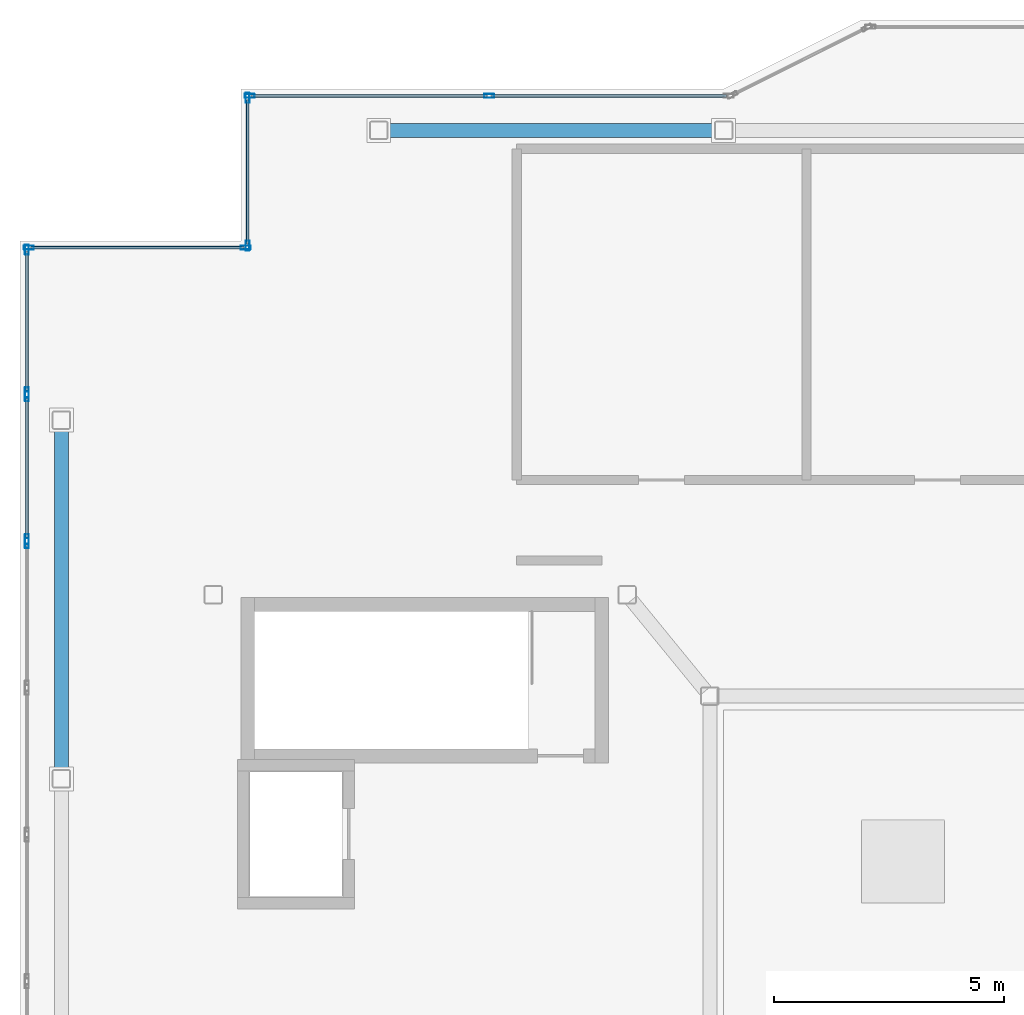
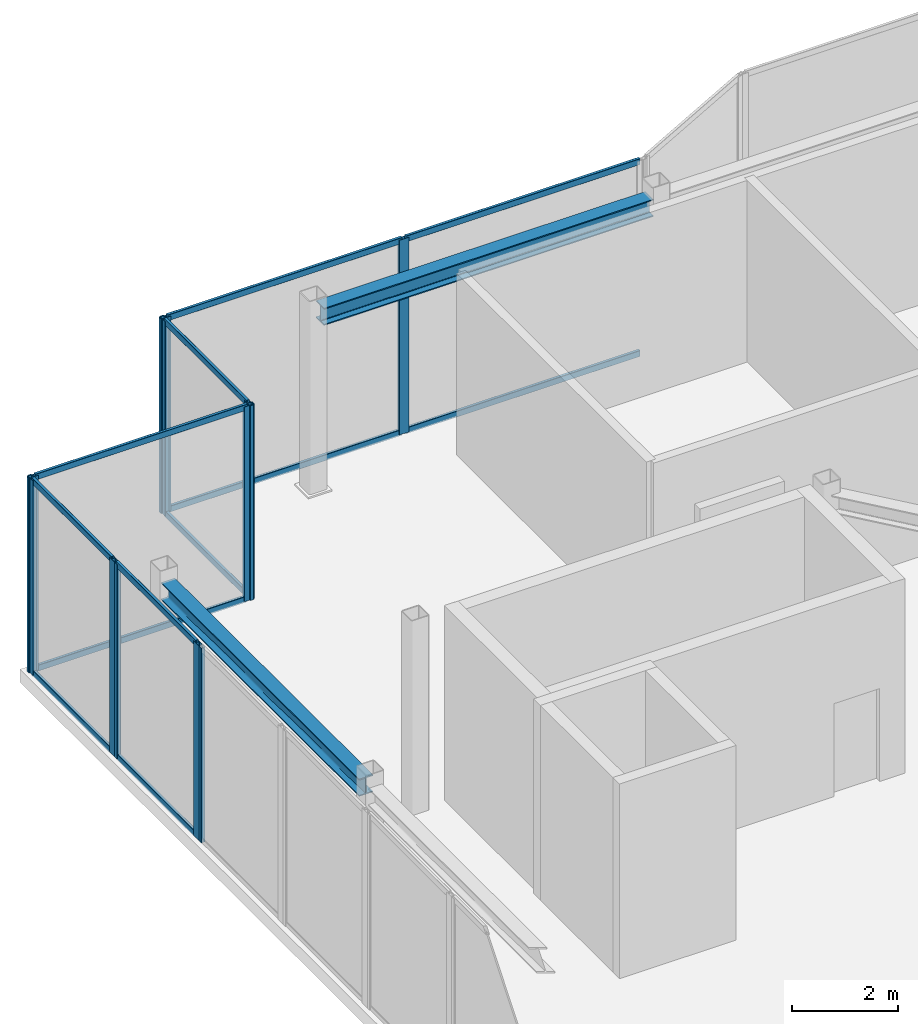
# One storey, part 10 of 18: 23 members, 2 beams, 6 elements without a shape of their own.
"""IFC4 building model written with IfcOpenShell, lengths in metres."""

from ifc_helpers import new_model, si_unit, direction, frame, origin, origin_2d, place, context, subcontext, project, spatial, hollow_rectangle, i_section, extrude, material, layer, layer_set, material_profile, profile_set, type_object, element, aggregate, save


model = new_model("IFC4")

# Units and contexts
model_context = context("Model", 3, precision=1e-05, world=origin(), true_north=direction((0.0, 1.0)))
body_context = subcontext(model_context, "Body", "Model", "MODEL_VIEW")
ifc_project = project(units=[si_unit("LENGTHUNIT", "METRE"), si_unit("AREAUNIT", "SQUARE_METRE"), si_unit("VOLUMEUNIT", "CUBIC_METRE"), si_unit("PLANEANGLEUNIT", "RADIAN"), si_unit("MASSUNIT", "GRAM", prefix="KILO")], contexts=[model_context])

# Site, building, storey
site_placement = place(None, origin())
site = spatial("IfcSite", under=ifc_project, at=site_placement, CompositionType="ELEMENT")
building_placement = place(site_placement, origin())
building = spatial("IfcBuilding", under=site, at=building_placement, Name="Tarnavaz Court Tower", CompositionType="ELEMENT")
storey_placement = place(building_placement, frame((0.0, 0.0, 281.550048828125)))
storey = spatial("IfcBuildingStorey", under=building, at=storey_placement, Name="C01", CompositionType="ELEMENT", Elevation=281.550048828125)

# Beams
ifc_material_1 = material(Name="Steel S355", Category="steel")
ifc_material_profile_1 = material_profile(ifc_material_1, i_section(OverallWidth=0.300048828125, OverallDepth=0.39990234375, WebThickness=0.013427734375, FlangeThickness=0.02392578125, FilletRadius=0.027099609375, at=origin_2d()), Name="HEB 400")
ifc_profile_set_1 = profile_set([ifc_material_profile_1], Name="Steel S355")
beam_type = type_object("IfcBeamType", Name="BM-G-HEB400", PredefinedType="USERDEFINED", material=ifc_profile_set_1)
beam_1_placement = place(storey_placement, frame((-14.85009765625, 20.10009765625, 4.0), z_axis=(1.0, 0.0, 0.0), x_axis=(0.0, 1.0, 0.0)))
element("IfcBeam", 1, at=beam_1_placement, inside=storey, type_object=beam_type, Name="C01 Beam CRG-PN-1-PN-2", ObjectType="GIRDER", PredefinedType="USERDEFINED", context=body_context, shape_type="SweptSolid", body=[
    extrude(i_section(OverallWidth=0.300048828125, OverallDepth=0.39990234375, WebThickness=0.013427734375, FlangeThickness=0.02392578125, FilletRadius=0.027099609375, at=origin_2d()), origin(), (0.0, 0.0, 1.0), 7.2001953125),
])
beam_2_placement = place(storey_placement, frame((-21.89990234375, 6.14990234375, 4.0), z_axis=(0.0, 1.0, 0.0), x_axis=(-1.0, 0.0, 0.0)))
element("IfcBeam", 2, at=beam_2_placement, inside=storey, type_object=beam_type, Name="C01 Beam CRG-PW-3-PW-4", ObjectType="GIRDER", PredefinedType="USERDEFINED", context=body_context, shape_type="SweptSolid", body=[
    extrude(i_section(OverallWidth=0.300048828125, OverallDepth=0.39990234375, WebThickness=0.013427734375, FlangeThickness=0.02392578125, FilletRadius=0.027099609375, at=origin_2d()), origin(), (0.0, 0.0, 1.0), 7.5),
])

# Curtain wall, member
ifc_material_2 = material(Name="Anodised Aluminium 6063-T6 and Solar Low-E Glazing", Category="aluminium")
ifc_layer = layer(ifc_material_2, 0.2099609375)
ifc_layer_set = layer_set([ifc_layer], Name="Anodised Aluminium 6063-T6 and Solar Low-E Glazing")
curtain_wall_type = type_object("IfcCurtainWallType", Name="CW-SYS-06", PredefinedType="NOTDEFINED", material=ifc_layer_set)
curtain_wall_1_placement = place(storey_placement, origin())
curtain_wall_1 = element("IfcCurtainWall", 3, at=curtain_wall_1_placement, inside=storey, type_object=curtain_wall_type, Name="C01 Slanted Crown Terracotta Curtain Wall 12", PredefinedType="NOTDEFINED")
ifc_material_3 = material(Name="Anodised Aluminium 6063-T6", Category="aluminium")
ifc_material_profile_2 = material_profile(ifc_material_3, hollow_rectangle(XDim=0.0849609375, YDim=0.219970703125, WallThickness=0.006103515625, InnerFilletRadius=0.006103515625, OuterFilletRadius=0.011962890625, at=origin_2d()), Name="ALU RHS 220X85X6")
ifc_profile_set_2 = profile_set([ifc_material_profile_2], Name="Anodised Aluminium 6063-T6")
member_type_1 = type_object("IfcMemberType", Name="CW-MUL-220", PredefinedType="MULLION", material=ifc_profile_set_2)
member_1_placement = place(storey_placement, frame((-22.64990234375, 11.125732421875, 0.0), z_axis=(0.0, 0.0, 1.0), x_axis=(-1.0, 0.0, 0.0)))
member_1 = element("IfcMember", 4, at=member_1_placement, type_object=member_type_1, Name="CW mullion 2", PredefinedType="MULLION", context=body_context, shape_type="SweptSolid", body=[
    extrude(hollow_rectangle(XDim=0.0849609375, YDim=0.219970703125, WallThickness=0.006103515625, InnerFilletRadius=0.006103515625, OuterFilletRadius=0.011962890625, at=origin_2d()), origin(), (0.0, 0.0, 1.0), 4.5),
])
aggregate(curtain_wall_1, [member_1])

# Curtain wall, members
curtain_wall_2_placement = place(storey_placement, origin())
curtain_wall_2 = element("IfcCurtainWall", 5, at=curtain_wall_2_placement, inside=storey, type_object=curtain_wall_type, Name="C01 Slanted Crown Terracotta Curtain Wall 13", PredefinedType="NOTDEFINED")
member_2_placement = place(storey_placement, frame((-22.64990234375, 11.210693359375, 0.0), z_axis=(0.0, 0.0, 1.0), x_axis=(-1.0, 0.0, 0.0)))
member_2 = element("IfcMember", 6, at=member_2_placement, type_object=member_type_1, Name="CW mullion 1", PredefinedType="MULLION", context=body_context, shape_type="SweptSolid", body=[
    extrude(hollow_rectangle(XDim=0.0849609375, YDim=0.219970703125, WallThickness=0.006103515625, InnerFilletRadius=0.006103515625, OuterFilletRadius=0.011962890625, at=origin_2d()), origin(), (0.0, 0.0, 1.0), 4.5),
])
member_3_placement = place(storey_placement, frame((-22.64990234375, 14.316650390625, 0.0), z_axis=(0.0, 0.0, 1.0), x_axis=(-1.0, 0.0, 0.0)))
member_3 = element("IfcMember", 7, at=member_3_placement, type_object=member_type_1, Name="CW mullion 2", PredefinedType="MULLION", context=body_context, shape_type="SweptSolid", body=[
    extrude(hollow_rectangle(XDim=0.0849609375, YDim=0.219970703125, WallThickness=0.006103515625, InnerFilletRadius=0.006103515625, OuterFilletRadius=0.011962890625, at=origin_2d()), origin(), (0.0, 0.0, 1.0), 4.5),
])

curtain_wall_3_placement = place(storey_placement, origin())
curtain_wall_3 = element("IfcCurtainWall", 8, at=curtain_wall_3_placement, inside=storey, type_object=curtain_wall_type, Name="C01 Slanted Crown Terracotta Curtain Wall 14", PredefinedType="NOTDEFINED")
member_4_placement = place(storey_placement, frame((-22.64990234375, 14.401611328125, 0.0), z_axis=(0.0, 0.0, 1.0), x_axis=(-1.0, 0.0, 0.0)))
member_4 = element("IfcMember", 9, at=member_4_placement, type_object=member_type_1, Name="CW mullion 1", PredefinedType="MULLION", context=body_context, shape_type="SweptSolid", body=[
    extrude(hollow_rectangle(XDim=0.0849609375, YDim=0.219970703125, WallThickness=0.006103515625, InnerFilletRadius=0.006103515625, OuterFilletRadius=0.011962890625, at=origin_2d()), origin(), (0.0, 0.0, 1.0), 4.5),
])
member_5_placement = place(storey_placement, frame((-22.64990234375, 17.507568359375, 0.0), z_axis=(0.0, 0.0, 1.0), x_axis=(-1.0, 0.0, 0.0)))
member_5 = element("IfcMember", 10, at=member_5_placement, type_object=member_type_1, Name="CW mullion 2", PredefinedType="MULLION", context=body_context, shape_type="SweptSolid", body=[
    extrude(hollow_rectangle(XDim=0.0849609375, YDim=0.219970703125, WallThickness=0.006103515625, InnerFilletRadius=0.006103515625, OuterFilletRadius=0.011962890625, at=origin_2d()), origin(), (0.0, 0.0, 1.0), 4.5),
])

curtain_wall_4_placement = place(storey_placement, origin())
curtain_wall_4 = element("IfcCurtainWall", 11, at=curtain_wall_4_placement, inside=storey, type_object=curtain_wall_type, Name="C01 Slanted Crown Terracotta Curtain Wall 15", PredefinedType="NOTDEFINED")
member_6_placement = place(storey_placement, frame((-22.607421875, 17.550048828125, 0.0), z_axis=(0.0, 0.0, 1.0), x_axis=(0.0, 1.0, 0.0)))
member_6 = element("IfcMember", 12, at=member_6_placement, type_object=member_type_1, Name="CW mullion 1", PredefinedType="MULLION", context=body_context, shape_type="SweptSolid", body=[
    extrude(hollow_rectangle(XDim=0.0849609375, YDim=0.219970703125, WallThickness=0.006103515625, InnerFilletRadius=0.006103515625, OuterFilletRadius=0.011962890625, at=origin_2d()), origin(), (0.0, 0.0, 1.0), 4.5),
])
member_7_placement = place(storey_placement, frame((-17.892578125, 17.550048828125, 0.0), z_axis=(0.0, 0.0, 1.0), x_axis=(0.0, 1.0, 0.0)))
member_7 = element("IfcMember", 13, at=member_7_placement, type_object=member_type_1, Name="CW mullion 2", PredefinedType="MULLION", context=body_context, shape_type="SweptSolid", body=[
    extrude(hollow_rectangle(XDim=0.0849609375, YDim=0.219970703125, WallThickness=0.006103515625, InnerFilletRadius=0.006103515625, OuterFilletRadius=0.011962890625, at=origin_2d()), origin(), (0.0, 0.0, 1.0), 4.5),
])

curtain_wall_5_placement = place(storey_placement, origin())
curtain_wall_5 = element("IfcCurtainWall", 14, at=curtain_wall_5_placement, inside=storey, type_object=curtain_wall_type, Name="C01 Slanted Crown Terracotta Curtain Wall 16", PredefinedType="NOTDEFINED")
member_8_placement = place(storey_placement, frame((-17.85009765625, 17.592529296875, 0.0), z_axis=(0.0, 0.0, 1.0), x_axis=(-1.0, 0.0, 0.0)))
member_8 = element("IfcMember", 15, at=member_8_placement, type_object=member_type_1, Name="CW mullion 1", PredefinedType="MULLION", context=body_context, shape_type="SweptSolid", body=[
    extrude(hollow_rectangle(XDim=0.0849609375, YDim=0.219970703125, WallThickness=0.006103515625, InnerFilletRadius=0.006103515625, OuterFilletRadius=0.011962890625, at=origin_2d()), origin(), (0.0, 0.0, 1.0), 4.5),
])
member_9_placement = place(storey_placement, frame((-17.85009765625, 20.8076171875, 0.0), z_axis=(0.0, 0.0, 1.0), x_axis=(-1.0, 0.0, 0.0)))
member_9 = element("IfcMember", 16, at=member_9_placement, type_object=member_type_1, Name="CW mullion 2", PredefinedType="MULLION", context=body_context, shape_type="SweptSolid", body=[
    extrude(hollow_rectangle(XDim=0.0849609375, YDim=0.219970703125, WallThickness=0.006103515625, InnerFilletRadius=0.006103515625, OuterFilletRadius=0.011962890625, at=origin_2d()), origin(), (0.0, 0.0, 1.0), 4.5),
])

curtain_wall_6_placement = place(storey_placement, origin())
curtain_wall_6 = element("IfcCurtainWall", 17, at=curtain_wall_6_placement, inside=storey, type_object=curtain_wall_type, Name="C01 Slanted Crown Terracotta Curtain Wall 17", PredefinedType="NOTDEFINED")
member_10_placement = place(storey_placement, frame((-17.8076171875, 20.85009765625, 0.0), z_axis=(0.0, 0.0, 1.0), x_axis=(0.0, 1.0, 0.0)))
member_10 = element("IfcMember", 18, at=member_10_placement, type_object=member_type_1, Name="CW mullion 1", PredefinedType="MULLION", context=body_context, shape_type="SweptSolid", body=[
    extrude(hollow_rectangle(XDim=0.0849609375, YDim=0.219970703125, WallThickness=0.006103515625, InnerFilletRadius=0.006103515625, OuterFilletRadius=0.011962890625, at=origin_2d()), origin(), (0.0, 0.0, 1.0), 4.5),
])
member_11_placement = place(storey_placement, frame((-12.60009765625, 20.85009765625, 0.0), z_axis=(0.0, 0.0, 1.0), x_axis=(0.0, 1.0, 0.0)))
member_11 = element("IfcMember", 19, at=member_11_placement, type_object=member_type_1, Name="CW mullion 2", PredefinedType="MULLION", context=body_context, shape_type="SweptSolid", body=[
    extrude(hollow_rectangle(XDim=0.0849609375, YDim=0.219970703125, WallThickness=0.006103515625, InnerFilletRadius=0.006103515625, OuterFilletRadius=0.011962890625, at=origin_2d()), origin(), (0.0, 0.0, 1.0), 4.5),
])

# Member
ifc_material_profile_3 = material_profile(ifc_material_3, hollow_rectangle(XDim=0.06494140625, YDim=0.139892578125, WallThickness=0.00390625, InnerFilletRadius=0.00390625, OuterFilletRadius=0.008056640625, at=origin_2d()), Name="ALU RHS 140X65X4")
ifc_profile_set_3 = profile_set([ifc_material_profile_3], Name="Anodised Aluminium 6063-T6")
member_type_2 = type_object("IfcMemberType", Name="CW-TRN-140", PredefinedType="USERDEFINED", material=ifc_profile_set_3)
member_12_placement = place(storey_placement, frame((-22.64990234375, 11.253173828125, 0.032470703125), z_axis=(0.0, 1.0, 0.0), x_axis=(-1.0, 0.0, 0.0)))
member_12 = element("IfcMember", 20, at=member_12_placement, type_object=member_type_2, Name="CW transom 1.1", ObjectType="TRANSOM", PredefinedType="USERDEFINED", context=body_context, shape_type="SweptSolid", body=[
    extrude(hollow_rectangle(XDim=0.06494140625, YDim=0.139892578125, WallThickness=0.00390625, InnerFilletRadius=0.00390625, OuterFilletRadius=0.008056640625, at=origin_2d()), origin(), (0.0, 0.0, 1.0), 3.02099609375),
])

member_13_placement = place(storey_placement, frame((-22.64990234375, 11.253173828125, 4.467529296875), z_axis=(0.0, 1.0, 0.0), x_axis=(-1.0, 0.0, 0.0)))
member_13 = element("IfcMember", 21, at=member_13_placement, type_object=member_type_2, Name="CW transom 1.2", ObjectType="TRANSOM", PredefinedType="USERDEFINED", context=body_context, shape_type="SweptSolid", body=[
    extrude(hollow_rectangle(XDim=0.06494140625, YDim=0.139892578125, WallThickness=0.00390625, InnerFilletRadius=0.00390625, OuterFilletRadius=0.008056640625, at=origin_2d()), origin(), (0.0, 0.0, 1.0), 3.02099609375),
])

aggregate(curtain_wall_2, [member_2, member_3, member_12, member_13])

member_14_placement = place(storey_placement, frame((-22.64990234375, 14.444091796875, 0.032470703125), z_axis=(0.0, 1.0, 0.0), x_axis=(-1.0, 0.0, 0.0)))
member_14 = element("IfcMember", 22, at=member_14_placement, type_object=member_type_2, Name="CW transom 1.1", ObjectType="TRANSOM", PredefinedType="USERDEFINED", context=body_context, shape_type="SweptSolid", body=[
    extrude(hollow_rectangle(XDim=0.06494140625, YDim=0.139892578125, WallThickness=0.00390625, InnerFilletRadius=0.00390625, OuterFilletRadius=0.008056640625, at=origin_2d()), origin(), (0.0, 0.0, 1.0), 3.02099609375),
])

member_15_placement = place(storey_placement, frame((-22.64990234375, 14.444091796875, 4.467529296875), z_axis=(0.0, 1.0, 0.0), x_axis=(-1.0, 0.0, 0.0)))
member_15 = element("IfcMember", 23, at=member_15_placement, type_object=member_type_2, Name="CW transom 1.2", ObjectType="TRANSOM", PredefinedType="USERDEFINED", context=body_context, shape_type="SweptSolid", body=[
    extrude(hollow_rectangle(XDim=0.06494140625, YDim=0.139892578125, WallThickness=0.00390625, InnerFilletRadius=0.00390625, OuterFilletRadius=0.008056640625, at=origin_2d()), origin(), (0.0, 0.0, 1.0), 3.02099609375),
])

aggregate(curtain_wall_3, [member_4, member_5, member_14, member_15])

member_16_placement = place(storey_placement, frame((-22.56494140625, 17.550048828125, 0.032470703125), z_axis=(1.0, 0.0, 0.0), x_axis=(0.0, 1.0, 0.0)))
member_16 = element("IfcMember", 24, at=member_16_placement, type_object=member_type_2, Name="CW transom 1.1", ObjectType="TRANSOM", PredefinedType="USERDEFINED", context=body_context, shape_type="SweptSolid", body=[
    extrude(hollow_rectangle(XDim=0.06494140625, YDim=0.139892578125, WallThickness=0.00390625, InnerFilletRadius=0.00390625, OuterFilletRadius=0.008056640625, at=origin_2d()), origin(), (0.0, 0.0, 1.0), 4.6298828125),
])

member_17_placement = place(storey_placement, frame((-22.56494140625, 17.550048828125, 4.467529296875), z_axis=(1.0, 0.0, 0.0), x_axis=(0.0, 1.0, 0.0)))
member_17 = element("IfcMember", 25, at=member_17_placement, type_object=member_type_2, Name="CW transom 1.2", ObjectType="TRANSOM", PredefinedType="USERDEFINED", context=body_context, shape_type="SweptSolid", body=[
    extrude(hollow_rectangle(XDim=0.06494140625, YDim=0.139892578125, WallThickness=0.00390625, InnerFilletRadius=0.00390625, OuterFilletRadius=0.008056640625, at=origin_2d()), origin(), (0.0, 0.0, 1.0), 4.6298828125),
])

aggregate(curtain_wall_4, [member_6, member_7, member_16, member_17])

member_18_placement = place(storey_placement, frame((-17.85009765625, 17.635009765625, 0.032470703125), z_axis=(0.0, 1.0, 0.0), x_axis=(-1.0, 0.0, 0.0)))
member_18 = element("IfcMember", 26, at=member_18_placement, type_object=member_type_2, Name="CW transom 1.1", ObjectType="TRANSOM", PredefinedType="USERDEFINED", context=body_context, shape_type="SweptSolid", body=[
    extrude(hollow_rectangle(XDim=0.06494140625, YDim=0.139892578125, WallThickness=0.00390625, InnerFilletRadius=0.00390625, OuterFilletRadius=0.008056640625, at=origin_2d()), origin(), (0.0, 0.0, 1.0), 3.1298828125),
])

member_19_placement = place(storey_placement, frame((-17.85009765625, 17.635009765625, 4.467529296875), z_axis=(0.0, 1.0, 0.0), x_axis=(-1.0, 0.0, 0.0)))
member_19 = element("IfcMember", 27, at=member_19_placement, type_object=member_type_2, Name="CW transom 1.2", ObjectType="TRANSOM", PredefinedType="USERDEFINED", context=body_context, shape_type="SweptSolid", body=[
    extrude(hollow_rectangle(XDim=0.06494140625, YDim=0.139892578125, WallThickness=0.00390625, InnerFilletRadius=0.00390625, OuterFilletRadius=0.008056640625, at=origin_2d()), origin(), (0.0, 0.0, 1.0), 3.1298828125),
])

aggregate(curtain_wall_5, [member_8, member_9, member_18, member_19])

member_20_placement = place(storey_placement, frame((-17.764892578125, 20.85009765625, 0.032470703125), z_axis=(1.0, 0.0, 0.0), x_axis=(0.0, 1.0, 0.0)))
member_20 = element("IfcMember", 28, at=member_20_placement, type_object=member_type_2, Name="CW transom 1.1", ObjectType="TRANSOM", PredefinedType="USERDEFINED", context=body_context, shape_type="SweptSolid", body=[
    extrude(hollow_rectangle(XDim=0.06494140625, YDim=0.139892578125, WallThickness=0.00390625, InnerFilletRadius=0.00390625, OuterFilletRadius=0.008056640625, at=origin_2d()), origin(), (0.0, 0.0, 1.0), 5.122314453125),
])

member_21_placement = place(storey_placement, frame((-17.764892578125, 20.85009765625, 4.467529296875), z_axis=(1.0, 0.0, 0.0), x_axis=(0.0, 1.0, 0.0)))
member_21 = element("IfcMember", 29, at=member_21_placement, type_object=member_type_2, Name="CW transom 1.2", ObjectType="TRANSOM", PredefinedType="USERDEFINED", context=body_context, shape_type="SweptSolid", body=[
    extrude(hollow_rectangle(XDim=0.06494140625, YDim=0.139892578125, WallThickness=0.00390625, InnerFilletRadius=0.00390625, OuterFilletRadius=0.008056640625, at=origin_2d()), origin(), (0.0, 0.0, 1.0), 5.122314453125),
])

member_22_placement = place(storey_placement, frame((-12.5576171875, 20.85009765625, 0.032470703125), z_axis=(1.0, 0.0, 0.0), x_axis=(0.0, 1.0, 0.0)))
member_22 = element("IfcMember", 30, at=member_22_placement, type_object=member_type_2, Name="CW transom 2.1", ObjectType="TRANSOM", PredefinedType="USERDEFINED", context=body_context, shape_type="SweptSolid", body=[
    extrude(hollow_rectangle(XDim=0.06494140625, YDim=0.139892578125, WallThickness=0.00390625, InnerFilletRadius=0.00390625, OuterFilletRadius=0.008056640625, at=origin_2d()), origin(), (0.0, 0.0, 1.0), 5.12255859375),
])

member_23_placement = place(storey_placement, frame((-12.5576171875, 20.85009765625, 4.467529296875), z_axis=(1.0, 0.0, 0.0), x_axis=(0.0, 1.0, 0.0)))
member_23 = element("IfcMember", 31, at=member_23_placement, type_object=member_type_2, Name="CW transom 2.2", ObjectType="TRANSOM", PredefinedType="USERDEFINED", context=body_context, shape_type="SweptSolid", body=[
    extrude(hollow_rectangle(XDim=0.06494140625, YDim=0.139892578125, WallThickness=0.00390625, InnerFilletRadius=0.00390625, OuterFilletRadius=0.008056640625, at=origin_2d()), origin(), (0.0, 0.0, 1.0), 5.12255859375),
])

aggregate(curtain_wall_6, [member_10, member_11, member_20, member_21, member_22, member_23])

save(model, "model.ifc")
